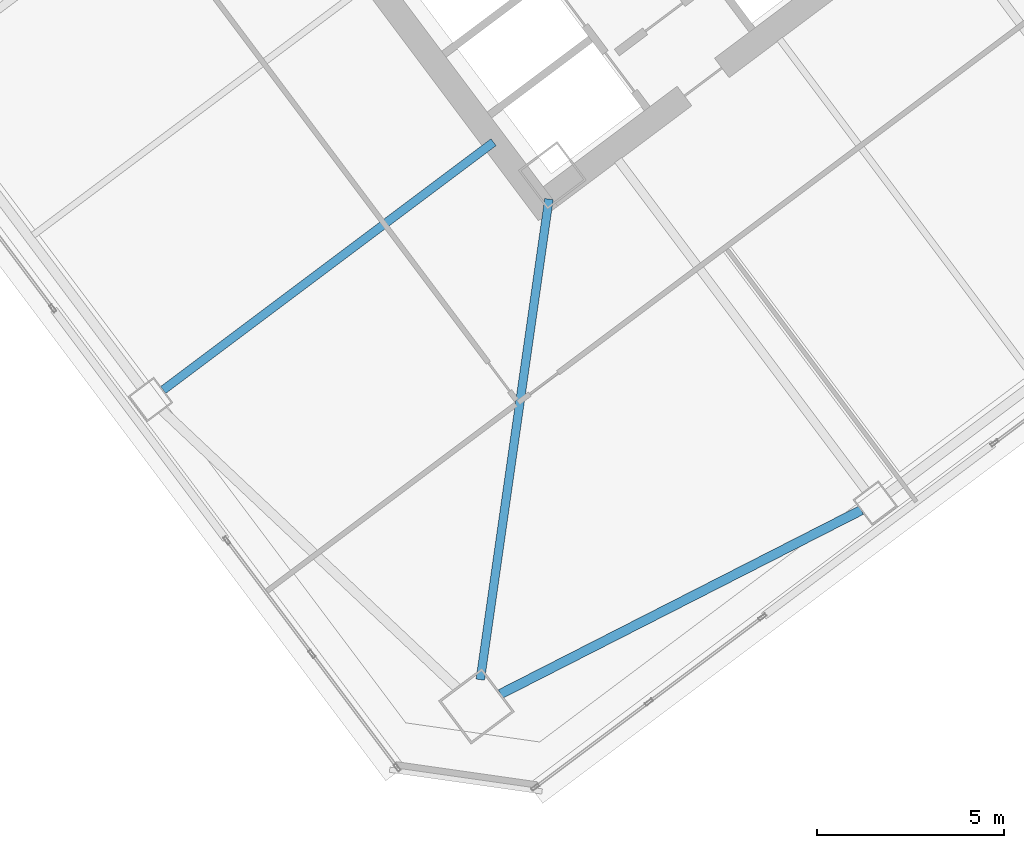
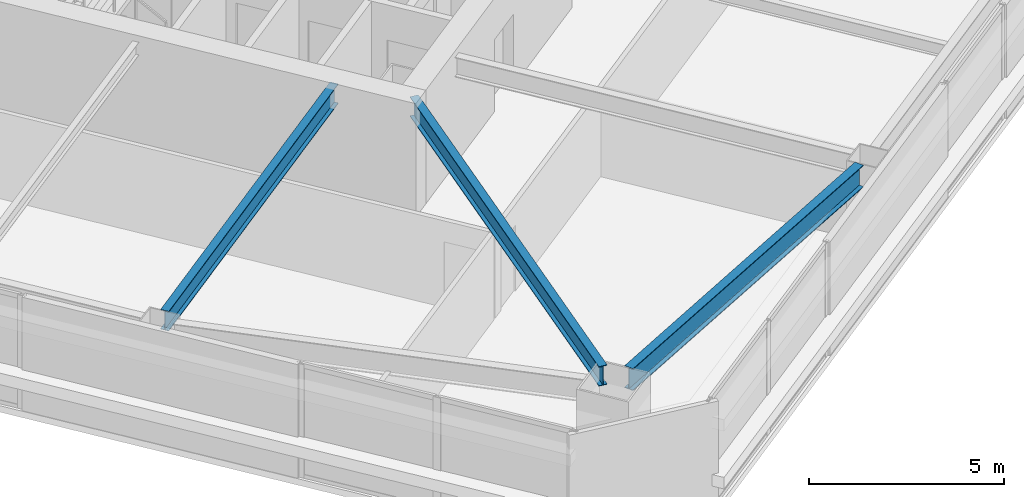
# One storey, part 18 of 44: 3 beams.
"""IFC4 building model written with IfcOpenShell, lengths in metres."""

from ifc_helpers import new_model, si_unit, direction, frame, origin, origin_2d, place, context, subcontext, project, spatial, i_section, extrude, material, material_profile, profile_set, type_object, element, save


model = new_model("IFC4")

# Units and contexts
model_context = context("Model", 3, precision=1e-05, world=origin(), true_north=direction((0.0, 1.0)))
body_context = subcontext(model_context, "Body", "Model", "MODEL_VIEW")
ifc_project = project(units=[si_unit("LENGTHUNIT", "METRE"), si_unit("AREAUNIT", "SQUARE_METRE"), si_unit("VOLUMEUNIT", "CUBIC_METRE"), si_unit("PLANEANGLEUNIT", "RADIAN"), si_unit("MASSUNIT", "GRAM", prefix="KILO")], contexts=[model_context])

# Site, building, storey
site_placement = place(None, origin())
site = spatial("IfcSite", under=ifc_project, at=site_placement, CompositionType="ELEMENT")
building_placement = place(site_placement, origin())
building = spatial("IfcBuilding", under=site, at=building_placement, Name="Tashvorn Skyway Center", CompositionType="ELEMENT")
storey_placement = place(building_placement, frame((0.0, 0.0, 92.050048828125)))
storey = spatial("IfcBuildingStorey", under=building, at=storey_placement, Name="L24", CompositionType="ELEMENT", Elevation=92.050048828125)

# Beams
ifc_material = material(Name="Steel ASTM A992 Grade 50", Category="steel")
ifc_material_profile_1 = material_profile(ifc_material, i_section(OverallWidth=0.22998046875, OverallDepth=0.616943359375, WebThickness=0.01318359375, FlangeThickness=0.022216796875, at=origin_2d()), Name="W24X94")
ifc_profile_set_1 = profile_set([ifc_material_profile_1], Name="Steel ASTM A992 Grade 50")
beam_type_1 = type_object("IfcBeamType", Name="BM-BEAM-W24X94", PredefinedType="BEAM", material=ifc_profile_set_1)
beam_1_placement = place(storey_placement, frame((110.661865234375, 8.6328125, 3.04150390625), z_axis=(0.141418724841, 0.989949869571, 0.0), x_axis=(-0.989949869571, 0.141418724841, 0.0)))
element("IfcBeam", 1, at=beam_1_placement, inside=storey, type_object=beam_type_1, Name="Tower 2 L24 Primary Floor Girder MC-SW", PredefinedType="BEAM", context=body_context, shape_type="SweptSolid", body=[
    extrude(i_section(OverallWidth=0.22998046875, OverallDepth=0.616943359375, WebThickness=0.01318359375, FlangeThickness=0.022216796875, at=origin_2d()), origin(), (0.0, 0.0, 1.0), 12.9892578125),
])
beam_2_placement = place(storey_placement, frame((102.176025390625, 16.382080078125, 3.04150390625), z_axis=(0.800007953832, 0.599989394744, 0.0), x_axis=(-0.599989394744, 0.800007953832, 0.0)))
element("IfcBeam", 2, at=beam_2_placement, inside=storey, type_object=beam_type_1, Name="Tower 2 L24 Primary Floor Girder FC-W2", PredefinedType="BEAM", context=body_context, shape_type="SweptSolid", body=[
    extrude(i_section(OverallWidth=0.22998046875, OverallDepth=0.616943359375, WebThickness=0.01318359375, FlangeThickness=0.022216796875, at=origin_2d()), origin(), (0.0, 0.0, 1.0), 11.050048828125),
])
ifc_material_profile_2 = material_profile(ifc_material, i_section(OverallWidth=0.256103515625, OverallDepth=0.693115234375, WebThickness=0.014404296875, FlangeThickness=0.023681640625, at=origin_2d()), Name="W27X114")
ifc_profile_set_2 = profile_set([ifc_material_profile_2], Name="Steel ASTM A992 Grade 50")
beam_type_2 = type_object("IfcBeamType", Name="BM-SPANDREL-W27X114", PredefinedType="SPANDREL", material=ifc_profile_set_2)
beam_3_placement = place(storey_placement, frame((111.201416015625, 8.2470703125, 3.00341796875), z_axis=(0.890894170442, 0.454210938961, 0.0), x_axis=(-0.454210938961, 0.890894170442, 0.0)))
element("IfcBeam", 3, at=beam_3_placement, inside=storey, type_object=beam_type_2, Name="Tower 2 L24 Spandrel Beam 01", PredefinedType="SPANDREL", context=body_context, shape_type="SweptSolid", body=[
    extrude(i_section(OverallWidth=0.256103515625, OverallDepth=0.693115234375, WebThickness=0.014404296875, FlangeThickness=0.023681640625, at=origin_2d()), origin(), (0.0, 0.0, 1.0), 10.836669921875),
])

save(model, "model.ifc")
